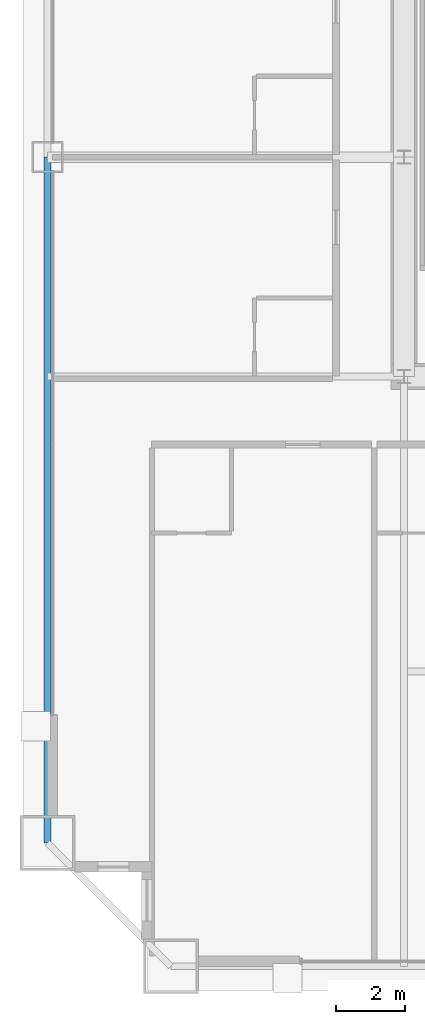
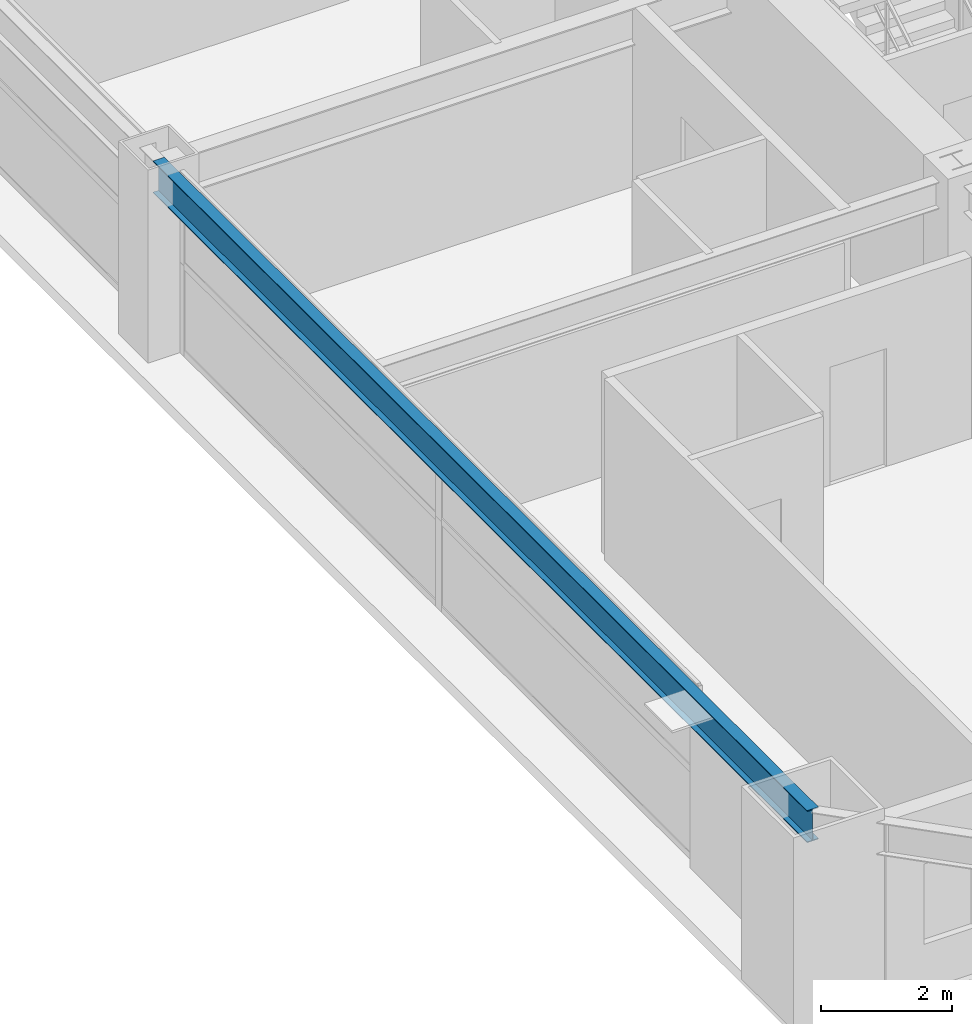
# One storey, part 7 of 39: 1 beam.
"""IFC4 building model written with IfcOpenShell, lengths in metres."""

from ifc_helpers import new_model, si_unit, direction, frame, origin, origin_2d, place, context, subcontext, project, spatial, i_section, extrude, source, transform, mapped, material, material_profile, profile_set, type_object, element, save


model = new_model("IFC4")

# Units and contexts
model_context = context("Model", 3, precision=1e-05, world=origin(), true_north=direction((0.0, 1.0)))
body_context = subcontext(model_context, "Body", "Model", "MODEL_VIEW")
ifc_project = project(units=[si_unit("LENGTHUNIT", "METRE"), si_unit("AREAUNIT", "SQUARE_METRE"), si_unit("VOLUMEUNIT", "CUBIC_METRE"), si_unit("PLANEANGLEUNIT", "RADIAN"), si_unit("MASSUNIT", "GRAM", prefix="KILO"), si_unit("THERMODYNAMICTEMPERATUREUNIT", "KELVIN"), si_unit("POWERUNIT", "WATT")], contexts=[model_context])

# Site, building, storey
site_placement = place(None, origin())
site = spatial("IfcSite", under=ifc_project, at=site_placement, CompositionType="ELEMENT")
building_placement = place(site_placement, origin())
building = spatial("IfcBuilding", under=site, at=building_placement, Name="Yuzanri Waterfront Tower", CompositionType="ELEMENT")
storey_placement = place(building_placement, frame((0.0, 0.0, 156.0)))
storey = spatial("IfcBuildingStorey", under=building, at=storey_placement, Name="L41", CompositionType="ELEMENT", Elevation=156.0)

# Beam
ifc_material = material(Name="Steel Q355B", Category="steel")
ifc_material_profile = material_profile(ifc_material, i_section(OverallWidth=0.199951171875, OverallDepth=0.60009765625, WebThickness=0.010986328125, FlangeThickness=0.01708984375, at=origin_2d()), Name="HN 600x200x11x17")
ifc_profile_set = profile_set([ifc_material_profile], Name="Steel Q355B")
beam_type = type_object("IfcBeamType", Name="Perimeter Spandrel Q355B HN 600x200", PredefinedType="SPANDREL", material=ifc_profile_set)
shared_shape = source(origin(), body_context, "Body", "SweptSolid", [
    extrude(i_section(OverallWidth=0.199951171875, OverallDepth=0.60009765625, WebThickness=0.010986328125, FlangeThickness=0.01708984375, at=origin_2d()), origin(), (0.0, 0.0, 1.0), 20.0),
])
beam_placement = place(storey_placement, frame((13.39990234375, 25.800048828125, 3.080078125), z_axis=(0.0, -1.0, 0.0), x_axis=(1.0, 0.0, 0.0)))
element("IfcBeam", 1, at=beam_placement, inside=storey, type_object=beam_type, Name="L41 Perimeter Spandrel W2-W1", PredefinedType="SPANDREL", context=body_context, shape_type="MappedRepresentation", body=[
    mapped(shared_shape, transform((0.0, 0.0, 0.0), scale=1.0)),
])

save(model, "model.ifc")
